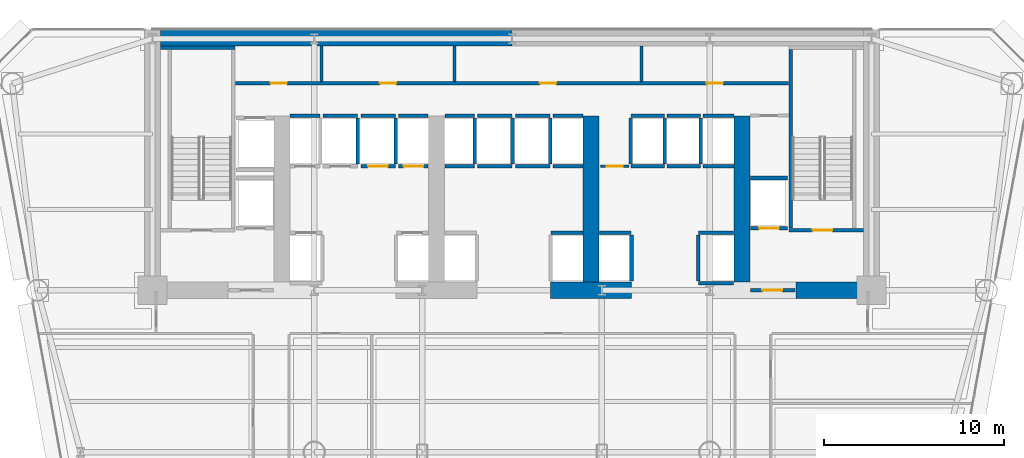
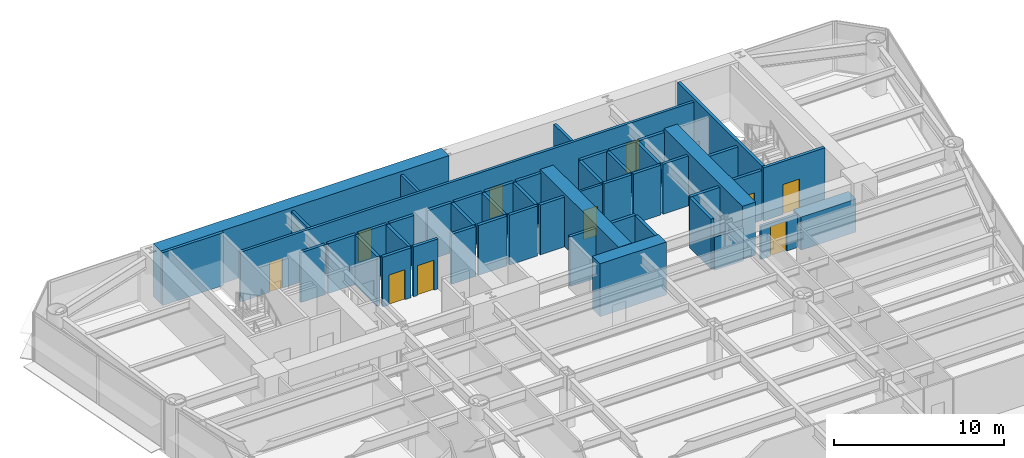
# One storey, part 9 of 14: 50 walls, 10 doors, 10 openings.
"""IFC4 building model written with IfcOpenShell, lengths in metres."""

from ifc_helpers import new_model, si_unit, direction, frame, frame_2d, origin, place, context, subcontext, project, spatial, rectangle, extrude, source, transform, mapped, material, layer, layer_set, type_object, element, fill, save


model = new_model("IFC4")

# Units and contexts
model_context = context("Model", 3, precision=1e-05, world=origin(), true_north=direction((0.0, 1.0)))
body_context = subcontext(model_context, "Body", "Model", "MODEL_VIEW")
ifc_project = project(units=[si_unit("LENGTHUNIT", "METRE"), si_unit("AREAUNIT", "SQUARE_METRE"), si_unit("VOLUMEUNIT", "CUBIC_METRE"), si_unit("PLANEANGLEUNIT", "RADIAN"), si_unit("MASSUNIT", "GRAM", prefix="KILO")], contexts=[model_context])

# Site, building, storey
site_placement = place(None, origin())
site = spatial("IfcSite", under=ifc_project, at=site_placement, CompositionType="ELEMENT")
building_placement = place(site_placement, origin())
building = spatial("IfcBuilding", under=site, at=building_placement, Name="Vaeldorn Concourse Tower", CompositionType="ELEMENT")
storey_placement = place(building_placement, frame((0.0, 0.0, 53.0)))
storey = spatial("IfcBuildingStorey", under=building, at=storey_placement, Name="L13", CompositionType="ELEMENT", Elevation=53.0)

# Walls
ifc_material_1 = material(Name="Concrete C60/75", Category="concrete")
ifc_layer_1 = layer(ifc_material_1, 0.89990234375)
ifc_layer_set_1 = layer_set([ifc_layer_1], Name="Concrete C60/75")
wall_type_1 = type_object("IfcWallType", Name="WL-CORE-900", PredefinedType="SHEAR", material=ifc_layer_set_1)
wall_1_placement = place(storey_placement, frame((14.4541015625, 50.550048828125, 0.0), z_axis=(0.0, 0.0, 1.0), x_axis=(1.0, 0.0, 0.0)))
element("IfcWall", 1, at=wall_1_placement, inside=storey, type_object=wall_type_1, Name="Rear Core Shear Wall L13 N1", PredefinedType="SHEAR", context=body_context, shape_type="SweptSolid", body=[
    extrude(rectangle(XDim=19.5439453125, YDim=0.89990234375, at=frame_2d((9.77197265625, 0.0))), origin(), (0.0, 0.0, 1.0), 3.800048828125),
])
wall_2_placement = place(storey_placement, frame((36.14990234375, 36.5, 0.0), z_axis=(0.0, 0.0, 1.0), x_axis=(1.0, 0.0, 0.0)))
element("IfcWall", 2, at=wall_2_placement, inside=storey, type_object=wall_type_1, Name="Rear Core Shear Wall L13 S3", PredefinedType="SHEAR", context=body_context, shape_type="SweptSolid", body=[
    extrude(rectangle(XDim=4.5, YDim=0.89990234375, at=frame_2d((2.25, 0.0))), origin(), (0.0, 0.0, 1.0), 3.800048828125),
])
wall_3_placement = place(storey_placement, frame((49.800048828125, 36.5, 0.0), z_axis=(0.0, 0.0, 1.0), x_axis=(1.0, 0.0, 0.0)))
element("IfcWall", 3, at=wall_3_placement, inside=storey, type_object=wall_type_1, Name="Rear Core Shear Wall L13 S4", PredefinedType="SHEAR", context=body_context, shape_type="SweptSolid", body=[
    extrude(rectangle(XDim=3.72998046875, YDim=0.89990234375, at=frame_2d((1.864990234375, 0.0))), origin(), (0.0, 0.0, 1.0), 2.3798828125),
])
for number, where, z_axis, x_axis, name in (
    (4, (38.39990234375, 36.969970703125, 0.0), (0.0, 0.0, 1.0), (0.0, 1.0, 0.0), "Rear Core Shear Wall L13 M3"),
    (5, (46.800048828125, 36.969970703125, 0.0), (0.0, 0.0, 1.0), (0.0, 1.0, 0.0), "Rear Core Shear Wall L13 M4"),
):
    element("IfcWall", number, at=place(storey_placement, frame(where, z_axis=z_axis, x_axis=x_axis)), inside=storey, type_object=wall_type_1, Name=name, PredefinedType="SHEAR", context=body_context, shape_type="SweptSolid", body=[
        extrude(rectangle(XDim=9.22998046875, YDim=0.89990234375, at=frame_2d((4.614990234375, 0.0))), origin(), (0.0, 0.0, 1.0), 3.800048828125),
    ])

# Wall, opening, door
ifc_material_2 = material(Name="Gypsum Board Partition", Category="gypsum")
ifc_layer_2 = layer(ifc_material_2, 0.14990234375)
ifc_layer_set_2 = layer_set([ifc_layer_2], Name="Gypsum Board Partition")
wall_type_2 = type_object("IfcWallType", Name="WL-PART-150", PredefinedType="PARTITIONING", material=ifc_layer_set_2)
wall_4_placement = place(storey_placement, frame((38.919921875, 43.39990234375, 0.0), z_axis=(0.0, 0.0, 1.0), x_axis=(1.0, 0.0, 0.0)))
wall_4 = element("IfcWall", 6, at=wall_4_placement, inside=storey, type_object=wall_type_2, Name="Interior Wall CW-L13-CCLINK", PredefinedType="PARTITIONING", context=body_context, shape_type="SweptSolid", body=[
    extrude(rectangle(XDim=1.60009765625, YDim=0.14990234375, at=frame_2d((0.800048828125, 0.0))), origin(), (0.0, 0.0, 1.0), 3.580078125),
])
opening_1_placement = place(wall_4_placement, frame((0.35009765625, 0.0, 0.0)))
opening_1 = element("IfcOpeningElement", 7, at=opening_1_placement, cuts=wall_4, Name="Opening D-02", PredefinedType="OPENING", context=body_context, shape_type="SweptSolid", body=[
    extrude(rectangle(XDim=0.89990234375, YDim=2.10009765625, at=frame_2d((0.449951171875, 1.050048828125))), frame((0.0, 0.0849609375, 0.0), z_axis=(0.0, -1.0, 0.0), x_axis=(1.0, 0.0, 0.0)), (0.0, 0.0, 1.0), 0.169921875),
])
ifc_material_3 = material(Name="Fire-Rated Timber Leaf", Category="wood")
door_type_1 = type_object("IfcDoorType", Name="DR-FD30-900", OperationType="NOTDEFINED", PredefinedType="DOOR", material=ifc_material_3)
shared_shape_1 = source(origin(), body_context, "Body", "SweptSolid", [
    extrude(rectangle(XDim=0.89990234375, YDim=2.10009765625, at=frame_2d((0.449951171875, 1.050048828125))), frame((0.0, 0.02490234375, 0.0), z_axis=(0.0, -1.0, 0.0), x_axis=(1.0, 0.0, 0.0)), (0.0, 0.0, 1.0), 0.050048828125),
])
door_1_placement = place(opening_1_placement, origin())
door_1 = element("IfcDoor", 8, at=door_1_placement, inside=storey, type_object=door_type_1, Name="Interior Door DR-L13-CCLINK", OperationType="SINGLE_SWING_LEFT", OverallHeight=2.10009765625, OverallWidth=0.89990234375, PredefinedType="DOOR", context=body_context, shape_type="MappedRepresentation", body=[
    mapped(shared_shape_1, transform((0.0, 0.0, 0.0), scale=1.0)),
])
fill(opening_1, door_1)

# Wall, openings, doors
ifc_layer_3 = layer(ifc_material_2, 0.179931640625)
ifc_layer_set_3 = layer_set([ifc_layer_3], Name="Gypsum Board Partition")
wall_type_3 = type_object("IfcWallType", Name="WL-PLUMB-180", PredefinedType="PLUMBINGWALL", material=ifc_layer_set_3)
wall_5_placement = place(storey_placement, frame((18.6201171875, 48.02001953125, 0.0), z_axis=(0.0, 0.0, 1.0), x_axis=(1.0, 0.0, 0.0)))
wall_5 = element("IfcWall", 9, at=wall_5_placement, inside=storey, type_object=wall_type_3, Name="Interior Wall CW-L13-NS0", PredefinedType="PLUMBINGWALL", context=body_context, shape_type="SweptSolid", body=[
    extrude(rectangle(XDim=30.759765625, YDim=0.179931640625, at=frame_2d((15.3798828125, 0.0))), origin(), (0.0, 0.0, 1.0), 3.580078125),
])
opening_2_placement = place(wall_5_placement, frame((1.955078125, 0.0, 0.0)))
opening_2 = element("IfcOpeningElement", 10, at=opening_2_placement, cuts=wall_5, Name="Opening D-03", PredefinedType="OPENING", context=body_context, shape_type="SweptSolid", body=[
    extrude(rectangle(XDim=0.89990234375, YDim=2.14990234375, at=frame_2d((0.449951171875, 1.074951171875))), frame((0.0, 0.10009765625, 0.0), z_axis=(0.0, -1.0, 0.0), x_axis=(1.0, 0.0, 0.0)), (0.0, 0.0, 1.0), 0.199951171875),
])
opening_3_placement = place(wall_5_placement, frame((8.030029296875, 0.0, 0.0)))
opening_3 = element("IfcOpeningElement", 11, at=opening_3_placement, cuts=wall_5, Name="Opening D-03", PredefinedType="OPENING", context=body_context, shape_type="SweptSolid", body=[
    extrude(rectangle(XDim=0.89990234375, YDim=2.14990234375, at=frame_2d((0.449951171875, 1.074951171875))), frame((0.0, 0.10009765625, 0.0), z_axis=(0.0, -1.0, 0.0), x_axis=(1.0, 0.0, 0.0)), (0.0, 0.0, 1.0), 0.199951171875),
])
opening_4_placement = place(wall_5_placement, frame((16.929931640625, 0.0, 0.0)))
opening_4 = element("IfcOpeningElement", 12, at=opening_4_placement, cuts=wall_5, Name="Opening D-03", PredefinedType="OPENING", context=body_context, shape_type="SweptSolid", body=[
    extrude(rectangle(XDim=0.89990234375, YDim=2.14990234375, at=frame_2d((0.449951171875, 1.074951171875))), frame((0.0, 0.10009765625, 0.0), z_axis=(0.0, -1.0, 0.0), x_axis=(1.0, 0.0, 0.0)), (0.0, 0.0, 1.0), 0.199951171875),
])
opening_5_placement = place(wall_5_placement, frame((26.205078125, 0.0, 0.0)))
opening_5 = element("IfcOpeningElement", 13, at=opening_5_placement, cuts=wall_5, Name="Opening D-03", PredefinedType="OPENING", context=body_context, shape_type="SweptSolid", body=[
    extrude(rectangle(XDim=0.89990234375, YDim=2.14990234375, at=frame_2d((0.449951171875, 1.074951171875))), frame((0.0, 0.10009765625, 0.0), z_axis=(0.0, -1.0, 0.0), x_axis=(1.0, 0.0, 0.0)), (0.0, 0.0, 1.0), 0.199951171875),
])
ifc_material_4 = material(Name="Acoustic Bronze-Framed Glass Door", Category="glass")
door_type_2 = type_object("IfcDoorType", Name="DR-INT-900", OperationType="NOTDEFINED", PredefinedType="DOOR", material=ifc_material_4)
shared_shape_2 = source(origin(), body_context, "Body", "SweptSolid", [
    extrude(rectangle(XDim=0.89990234375, YDim=2.14990234375, at=frame_2d((0.449951171875, 1.074951171875))), frame((0.0, 0.02490234375, 0.0), z_axis=(0.0, -1.0, 0.0), x_axis=(1.0, 0.0, 0.0)), (0.0, 0.0, 1.0), 0.050048828125),
])
door_2_placement = place(opening_2_placement, origin())
door_2 = element("IfcDoor", 14, at=door_2_placement, inside=storey, type_object=door_type_2, Name="Interior Door DR-L13-CS1", OperationType="SINGLE_SWING_LEFT", OverallHeight=2.14990234375, OverallWidth=0.89990234375, PredefinedType="DOOR", context=body_context, shape_type="MappedRepresentation", body=[
    mapped(shared_shape_2, transform((0.0, 0.0, 0.0), scale=1.0)),
])
fill(opening_2, door_2)
door_3_placement = place(opening_3_placement, origin())
door_3 = element("IfcDoor", 15, at=door_3_placement, inside=storey, type_object=door_type_2, Name="Interior Door DR-L13-CS2", OperationType="SINGLE_SWING_RIGHT", OverallHeight=2.14990234375, OverallWidth=0.89990234375, PredefinedType="DOOR", context=body_context, shape_type="MappedRepresentation", body=[
    mapped(shared_shape_2, transform((0.0, 0.0, 0.0), scale=1.0)),
])
fill(opening_3, door_3)
door_4_placement = place(opening_4_placement, origin())
door_4 = element("IfcDoor", 16, at=door_4_placement, inside=storey, type_object=door_type_2, Name="Interior Door DR-L13-CS3", OperationType="SINGLE_SWING_LEFT", OverallHeight=2.14990234375, OverallWidth=0.89990234375, PredefinedType="DOOR", context=body_context, shape_type="MappedRepresentation", body=[
    mapped(shared_shape_2, transform((0.0, 0.0, 0.0), scale=1.0)),
])
fill(opening_4, door_4)
door_5_placement = place(opening_5_placement, origin())
door_5 = element("IfcDoor", 17, at=door_5_placement, inside=storey, type_object=door_type_2, Name="Interior Door DR-L13-CS4", OperationType="SINGLE_SWING_RIGHT", OverallHeight=2.14990234375, OverallWidth=0.89990234375, PredefinedType="DOOR", context=body_context, shape_type="MappedRepresentation", body=[
    mapped(shared_shape_2, transform((0.0, 0.0, 0.0), scale=1.0)),
])
fill(opening_5, door_5)

# Walls
for number, where, z_axis, x_axis, name in (
    (18, (23.39990234375, 48.10009765625, 0.0), (0.0, 0.0, 1.0), (0.0, 1.0, 0.0), "Interior Wall CW-L13-NDIV1"),
    (19, (30.800048828125, 48.10009765625, 0.0), (0.0, 0.0, 1.0), (0.0, 1.0, 0.0), "Interior Wall CW-L13-NDIV2"),
    (20, (41.199951171875, 48.10009765625, 0.0), (0.0, 0.0, 1.0), (0.0, 1.0, 0.0), "Interior Wall CW-L13-NDIV3"),
):
    element("IfcWall", number, at=place(storey_placement, frame(where, z_axis=z_axis, x_axis=x_axis)), inside=storey, type_object=wall_type_3, Name=name, PredefinedType="PLUMBINGWALL", context=body_context, shape_type="SweptSolid", body=[
        extrude(rectangle(XDim=1.97998046875, YDim=0.179931640625, at=frame_2d((0.989990234375, 0.0))), origin(), (0.0, 0.0, 1.0), 3.580078125),
    ])
ifc_material_5 = material(Name="Concrete C50/60", Category="concrete")
ifc_layer_4 = layer(ifc_material_5, 0.199951171875)
ifc_layer_set_4 = layer_set([ifc_layer_4], Name="Concrete C50/60")
wall_type_4 = type_object("IfcWallType", Name="WL-SHAFT-200", PredefinedType="SOLIDWALL", material=ifc_layer_set_4)
wall_6_placement = place(storey_placement, frame((14.449951171875, 50.0, 0.0), z_axis=(0.0, 0.0, 1.0), x_axis=(1.0, 0.0, 0.0)))
element("IfcWall", 21, at=wall_6_placement, inside=storey, type_object=wall_type_4, Name="Stair Shaft Wall CW-L13-ST-1-N", PredefinedType="SOLIDWALL", context=body_context, shape_type="SweptSolid", body=[
    extrude(rectangle(XDim=4.150146484375, YDim=0.199951171875, at=frame_2d((2.0751953125, 0.0))), origin(), (0.0, 0.0, 1.0), 3.800048828125),
])

# Wall, opening, door
wall_7_placement = place(storey_placement, frame((49.39990234375, 39.85009765625, 0.0), z_axis=(0.0, 0.0, 1.0), x_axis=(1.0, 0.0, 0.0)))
wall_7 = element("IfcWall", 22, at=wall_7_placement, inside=storey, type_object=wall_type_4, Name="Stair Shaft Wall CW-L13-ST-2-S", PredefinedType="SOLIDWALL", context=body_context, shape_type="SweptSolid", body=[
    extrude(rectangle(XDim=4.150146484375, YDim=0.199951171875, at=frame_2d((2.0751953125, 0.0))), origin(), (0.0, 0.0, 1.0), 3.800048828125),
])
opening_6_placement = place(wall_7_placement, frame((1.324951171875, 0.0, 0.0)))
opening_6 = element("IfcOpeningElement", 23, at=opening_6_placement, cuts=wall_7, Name="Opening D-01", PredefinedType="OPENING", context=body_context, shape_type="SweptSolid", body=[
    extrude(rectangle(XDim=1.10009765625, YDim=2.14990234375, at=frame_2d((0.550048828125, 1.074951171875))), frame((0.0, 0.10986328125, 0.0), z_axis=(0.0, -1.0, 0.0), x_axis=(1.0, 0.0, 0.0)), (0.0, 0.0, 1.0), 0.219970703125),
])
ifc_material_6 = material(Name="Fire-Rated Timber and Steel Leaf", Category="steel")
door_type_3 = type_object("IfcDoorType", Name="DR-FD60-1100", OperationType="NOTDEFINED", PredefinedType="DOOR", material=ifc_material_6)
shared_shape_3 = source(origin(), body_context, "Body", "SweptSolid", [
    extrude(rectangle(XDim=1.10009765625, YDim=2.14990234375, at=frame_2d((0.550048828125, 1.074951171875))), frame((0.0, 0.02490234375, 0.0), z_axis=(0.0, -1.0, 0.0), x_axis=(1.0, 0.0, 0.0)), (0.0, 0.0, 1.0), 0.050048828125),
])
door_6_placement = place(opening_6_placement, origin())
door_6 = element("IfcDoor", 24, at=door_6_placement, inside=storey, type_object=door_type_3, Name="Interior Door DR-L13-ST-2", OperationType="SINGLE_SWING_RIGHT", OverallHeight=2.14990234375, OverallWidth=1.10009765625, PredefinedType="DOOR", context=body_context, shape_type="MappedRepresentation", body=[
    mapped(shared_shape_3, transform((0.0, 0.0, 0.0), scale=1.0)),
])
fill(opening_6, door_6)

# Wall
wall_8_placement = place(storey_placement, frame((49.5, 39.9599609375, 0.0), z_axis=(0.0, 0.0, 1.0), x_axis=(0.0, 1.0, 0.0)))
element("IfcWall", 25, at=wall_8_placement, inside=storey, type_object=wall_type_4, Name="Stair Shaft Wall CW-L13-ST-2-W", PredefinedType="SOLIDWALL", context=body_context, shape_type="SweptSolid", body=[
    extrude(rectangle(XDim=9.929931640625, YDim=0.199951171875, at=frame_2d((4.96484375, 0.0))), origin(), (0.0, 0.0, 1.0), 3.800048828125),
])

# Wall, opening, door
wall_9_placement = place(storey_placement, frame((47.280029296875, 36.5, 0.0), z_axis=(0.0, 0.0, 1.0), x_axis=(1.0, 0.0, 0.0)))
wall_9 = element("IfcWall", 26, at=wall_9_placement, inside=storey, type_object=wall_type_4, Name="Interior Wall CW-L13-FF2S", PredefinedType="SOLIDWALL", context=body_context, shape_type="SweptSolid", body=[
    extrude(rectangle(XDim=2.469970703125, YDim=0.199951171875, at=frame_2d((1.23486328125, 0.0))), origin(), (0.0, 0.0, 1.0), 2.3701171875),
])
opening_7_placement = place(wall_9_placement, frame((0.64990234375, 0.0, 0.0)))
opening_7 = element("IfcOpeningElement", 27, at=opening_7_placement, cuts=wall_9, Name="Opening D-01", PredefinedType="OPENING", context=body_context, shape_type="SweptSolid", body=[
    extrude(rectangle(XDim=1.10009765625, YDim=2.14990234375, at=frame_2d((0.550048828125, 1.074951171875))), frame((0.0, 0.10986328125, 0.0), z_axis=(0.0, -1.0, 0.0), x_axis=(1.0, 0.0, 0.0)), (0.0, 0.0, 1.0), 0.219970703125),
])
door_7_placement = place(opening_7_placement, origin())
door_7 = element("IfcDoor", 28, at=door_7_placement, inside=storey, type_object=door_type_3, Name="Interior Door DR-L13-FF2W", OperationType="SINGLE_SWING_LEFT", OverallHeight=2.14990234375, OverallWidth=1.10009765625, PredefinedType="DOOR", context=body_context, shape_type="MappedRepresentation", body=[
    mapped(shared_shape_3, transform((0.0, 0.0, 0.0), scale=1.0)),
])
fill(opening_7, door_7)

# Walls
wall_10_placement = place(storey_placement, frame((21.659912109375, 46.199951171875, 0.0), z_axis=(0.0, 0.0, 1.0), x_axis=(1.0, 0.0, 0.0)))
element("IfcWall", 29, at=wall_10_placement, inside=storey, type_object=wall_type_4, Name="Interior Wall CW-L13-LFB-LF-03", PredefinedType="SOLIDWALL", context=body_context, shape_type="SweptSolid", body=[
    extrude(rectangle(XDim=1.650146484375, YDim=0.199951171875, at=frame_2d((0.8251953125, 0.0))), origin(), (0.0, 0.0, 1.0), 3.580078125),
])
wall_11_placement = place(storey_placement, frame((23.489990234375, 46.199951171875, 0.0), z_axis=(0.0, 0.0, 1.0), x_axis=(1.0, 0.0, 0.0)))
element("IfcWall", 30, at=wall_11_placement, inside=storey, type_object=wall_type_4, Name="Interior Wall CW-L13-LFB-LF-04", PredefinedType="SOLIDWALL", context=body_context, shape_type="SweptSolid", body=[
    extrude(rectangle(XDim=1.919921875, YDim=0.199951171875, at=frame_2d((0.9599609375, 0.0))), origin(), (0.0, 0.0, 1.0), 3.580078125),
])
wall_12_placement = place(storey_placement, frame((25.429931640625, 43.52001953125, 0.0), z_axis=(0.0, 0.0, 1.0), x_axis=(0.0, 1.0, 0.0)))
element("IfcWall", 31, at=wall_12_placement, inside=storey, type_object=wall_type_4, Name="Interior Wall CW-L13-LFE-LF-04", PredefinedType="SOLIDWALL", context=body_context, shape_type="SweptSolid", body=[
    extrude(rectangle(XDim=2.56005859375, YDim=0.199951171875, at=frame_2d((1.280029296875, 0.0))), origin(), (0.0, 0.0, 1.0), 3.580078125),
])

# Wall, opening, door
wall_13_placement = place(storey_placement, frame((25.590087890625, 43.39990234375, 0.0), z_axis=(0.0, 0.0, 1.0), x_axis=(1.0, 0.0, 0.0)))
wall_13 = element("IfcWall", 32, at=wall_13_placement, inside=storey, type_object=wall_type_4, Name="Interior Wall CW-L13-LF-LF-05", PredefinedType="SOLIDWALL", context=body_context, shape_type="SweptSolid", body=[
    extrude(rectangle(XDim=1.919921875, YDim=0.199951171875, at=frame_2d((0.9599609375, 0.0))), origin(), (0.0, 0.0, 1.0), 3.580078125),
])
opening_8_placement = place(wall_13_placement, frame((0.409912109375, 0.0, 0.0)))
opening_8 = element("IfcOpeningElement", 33, at=opening_8_placement, cuts=wall_13, Name="Opening LD-1", PredefinedType="OPENING", context=body_context, shape_type="SweptSolid", body=[
    extrude(rectangle(XDim=1.10009765625, YDim=2.14990234375, at=frame_2d((0.550048828125, 1.074951171875))), frame((0.0, 0.10986328125, 0.0), z_axis=(0.0, -1.0, 0.0), x_axis=(1.0, 0.0, 0.0)), (0.0, 0.0, 1.0), 0.219970703125),
])
ifc_material_7 = material(Name="Anodised Bronze Aluminium", Category="aluminium")
door_type_4 = type_object("IfcDoorType", Name="DR-LIFT-SLIDE-1100", OperationType="DOUBLE_DOOR_SLIDING", PredefinedType="DOOR", material=ifc_material_7)
door_8_placement = place(opening_8_placement, origin())
door_8 = element("IfcDoor", 34, at=door_8_placement, inside=storey, type_object=door_type_4, Name="Lift Landing Door LD-L13-LF-05", OperationType="DOUBLE_DOOR_SLIDING", OverallHeight=2.14990234375, OverallWidth=1.10009765625, PredefinedType="DOOR", context=body_context, shape_type="MappedRepresentation", body=[
    mapped(shared_shape_3, transform((0.0, 0.0, 0.0), scale=1.0)),
])
fill(opening_8, door_8)

# Walls
wall_14_placement = place(storey_placement, frame((25.590087890625, 46.199951171875, 0.0), z_axis=(0.0, 0.0, 1.0), x_axis=(1.0, 0.0, 0.0)))
element("IfcWall", 35, at=wall_14_placement, inside=storey, type_object=wall_type_4, Name="Interior Wall CW-L13-LFB-LF-05", PredefinedType="SOLIDWALL", context=body_context, shape_type="SweptSolid", body=[
    extrude(rectangle(XDim=1.919921875, YDim=0.199951171875, at=frame_2d((0.9599609375, 0.0))), origin(), (0.0, 0.0, 1.0), 3.580078125),
])
wall_15_placement = place(storey_placement, frame((27.530029296875, 43.52001953125, 0.0), z_axis=(0.0, 0.0, 1.0), x_axis=(0.0, 1.0, 0.0)))
element("IfcWall", 36, at=wall_15_placement, inside=storey, type_object=wall_type_4, Name="Interior Wall CW-L13-LFE-LF-05", PredefinedType="SOLIDWALL", context=body_context, shape_type="SweptSolid", body=[
    extrude(rectangle(XDim=2.56005859375, YDim=0.199951171875, at=frame_2d((1.280029296875, 0.0))), origin(), (0.0, 0.0, 1.0), 3.580078125),
])

# Wall, opening, door
wall_16_placement = place(storey_placement, frame((27.68994140625, 43.39990234375, 0.0), z_axis=(0.0, 0.0, 1.0), x_axis=(1.0, 0.0, 0.0)))
wall_16 = element("IfcWall", 37, at=wall_16_placement, inside=storey, type_object=wall_type_4, Name="Interior Wall CW-L13-LF-LF-06", PredefinedType="SOLIDWALL", context=body_context, shape_type="SweptSolid", body=[
    extrude(rectangle(XDim=1.650146484375, YDim=0.199951171875, at=frame_2d((0.8251953125, 0.0))), origin(), (0.0, 0.0, 1.0), 3.580078125),
])
opening_9_placement = place(wall_16_placement, frame((0.27490234375, 0.0, 0.0)))
opening_9 = element("IfcOpeningElement", 38, at=opening_9_placement, cuts=wall_16, Name="Opening LD-1", PredefinedType="OPENING", context=body_context, shape_type="SweptSolid", body=[
    extrude(rectangle(XDim=1.10009765625, YDim=2.14990234375, at=frame_2d((0.550048828125, 1.074951171875))), frame((0.0, 0.10986328125, 0.0), z_axis=(0.0, -1.0, 0.0), x_axis=(1.0, 0.0, 0.0)), (0.0, 0.0, 1.0), 0.219970703125),
])
door_9_placement = place(opening_9_placement, origin())
door_9 = element("IfcDoor", 39, at=door_9_placement, inside=storey, type_object=door_type_4, Name="Lift Landing Door LD-L13-LF-06", OperationType="DOUBLE_DOOR_SLIDING", OverallHeight=2.14990234375, OverallWidth=1.10009765625, PredefinedType="DOOR", context=body_context, shape_type="MappedRepresentation", body=[
    mapped(shared_shape_3, transform((0.0, 0.0, 0.0), scale=1.0)),
])
fill(opening_9, door_9)

# Walls
wall_17_placement = place(storey_placement, frame((27.68994140625, 46.199951171875, 0.0), z_axis=(0.0, 0.0, 1.0), x_axis=(1.0, 0.0, 0.0)))
element("IfcWall", 40, at=wall_17_placement, inside=storey, type_object=wall_type_4, Name="Interior Wall CW-L13-LFB-LF-06", PredefinedType="SOLIDWALL", context=body_context, shape_type="SweptSolid", body=[
    extrude(rectangle(XDim=1.650146484375, YDim=0.199951171875, at=frame_2d((0.8251953125, 0.0))), origin(), (0.0, 0.0, 1.0), 3.580078125),
])
wall_18_placement = place(storey_placement, frame((36.169921875, 39.699951171875, 0.0), z_axis=(0.0, 0.0, 1.0), x_axis=(1.0, 0.0, 0.0)))
element("IfcWall", 41, at=wall_18_placement, inside=storey, type_object=wall_type_4, Name="Interior Wall CW-L13-LF-LF-08", PredefinedType="SOLIDWALL", context=body_context, shape_type="SweptSolid", body=[
    extrude(rectangle(XDim=1.77001953125, YDim=0.199951171875, at=frame_2d((0.885009765625, 0.0))), origin(), (0.0, 0.0, 1.0), 3.580078125),
])
for number, where, z_axis, x_axis, name in (
    (42, (30.260009765625, 43.39990234375, 0.0), (0.0, 0.0, 1.0), (1.0, 0.0, 0.0), "Interior Wall CW-L13-LF-LF-09"),
    (43, (30.260009765625, 46.199951171875, 0.0), (0.0, 0.0, 1.0), (1.0, 0.0, 0.0), "Interior Wall CW-L13-LFB-LF-09"),
):
    element("IfcWall", number, at=place(storey_placement, frame(where, z_axis=z_axis, x_axis=x_axis)), inside=storey, type_object=wall_type_4, Name=name, PredefinedType="SOLIDWALL", context=body_context, shape_type="SweptSolid", body=[
        extrude(rectangle(XDim=1.64990234375, YDim=0.199951171875, at=frame_2d((0.824951171875, 0.0))), origin(), (0.0, 0.0, 1.0), 3.580078125),
    ])
wall_19_placement = place(storey_placement, frame((31.929931640625, 43.52001953125, 0.0), z_axis=(0.0, 0.0, 1.0), x_axis=(0.0, 1.0, 0.0)))
element("IfcWall", 44, at=wall_19_placement, inside=storey, type_object=wall_type_4, Name="Interior Wall CW-L13-LFE-LF-09", PredefinedType="SOLIDWALL", context=body_context, shape_type="SweptSolid", body=[
    extrude(rectangle(XDim=2.56005859375, YDim=0.199951171875, at=frame_2d((1.280029296875, 0.0))), origin(), (0.0, 0.0, 1.0), 3.580078125),
])
for number, where, z_axis, x_axis, name in (
    (45, (32.090087890625, 43.39990234375, 0.0), (0.0, 0.0, 1.0), (1.0, 0.0, 0.0), "Interior Wall CW-L13-LF-LF-10"),
    (46, (32.090087890625, 46.199951171875, 0.0), (0.0, 0.0, 1.0), (1.0, 0.0, 0.0), "Interior Wall CW-L13-LFB-LF-10"),
):
    element("IfcWall", number, at=place(storey_placement, frame(where, z_axis=z_axis, x_axis=x_axis)), inside=storey, type_object=wall_type_4, Name=name, PredefinedType="SOLIDWALL", context=body_context, shape_type="SweptSolid", body=[
        extrude(rectangle(XDim=1.919921875, YDim=0.199951171875, at=frame_2d((0.9599609375, 0.0))), origin(), (0.0, 0.0, 1.0), 3.580078125),
    ])
wall_20_placement = place(storey_placement, frame((34.030029296875, 43.52001953125, 0.0), z_axis=(0.0, 0.0, 1.0), x_axis=(0.0, 1.0, 0.0)))
element("IfcWall", 47, at=wall_20_placement, inside=storey, type_object=wall_type_4, Name="Interior Wall CW-L13-LFE-LF-10", PredefinedType="SOLIDWALL", context=body_context, shape_type="SweptSolid", body=[
    extrude(rectangle(XDim=2.56005859375, YDim=0.199951171875, at=frame_2d((1.280029296875, 0.0))), origin(), (0.0, 0.0, 1.0), 3.580078125),
])
for number, where, z_axis, x_axis, name in (
    (48, (34.18994140625, 43.39990234375, 0.0), (0.0, 0.0, 1.0), (1.0, 0.0, 0.0), "Interior Wall CW-L13-LF-LF-11"),
    (49, (34.18994140625, 46.199951171875, 0.0), (0.0, 0.0, 1.0), (1.0, 0.0, 0.0), "Interior Wall CW-L13-LFB-LF-11"),
):
    element("IfcWall", number, at=place(storey_placement, frame(where, z_axis=z_axis, x_axis=x_axis)), inside=storey, type_object=wall_type_4, Name=name, PredefinedType="SOLIDWALL", context=body_context, shape_type="SweptSolid", body=[
        extrude(rectangle(XDim=1.920166015625, YDim=0.199951171875, at=frame_2d((0.9599609375, 0.0))), origin(), (0.0, 0.0, 1.0), 3.580078125),
    ])
wall_21_placement = place(storey_placement, frame((36.1298828125, 43.52001953125, 0.0), z_axis=(0.0, 0.0, 1.0), x_axis=(0.0, 1.0, 0.0)))
element("IfcWall", 50, at=wall_21_placement, inside=storey, type_object=wall_type_4, Name="Interior Wall CW-L13-LFE-LF-11", PredefinedType="SOLIDWALL", context=body_context, shape_type="SweptSolid", body=[
    extrude(rectangle(XDim=2.56005859375, YDim=0.199951171875, at=frame_2d((1.280029296875, 0.0))), origin(), (0.0, 0.0, 1.0), 3.580078125),
])
for number, where, z_axis, x_axis, name in (
    (51, (36.2900390625, 43.39990234375, 0.0), (0.0, 0.0, 1.0), (1.0, 0.0, 0.0), "Interior Wall CW-L13-LF-LF-12"),
    (52, (36.2900390625, 46.199951171875, 0.0), (0.0, 0.0, 1.0), (1.0, 0.0, 0.0), "Interior Wall CW-L13-LFB-LF-12"),
):
    element("IfcWall", number, at=place(storey_placement, frame(where, z_axis=z_axis, x_axis=x_axis)), inside=storey, type_object=wall_type_4, Name=name, PredefinedType="SOLIDWALL", context=body_context, shape_type="SweptSolid", body=[
        extrude(rectangle(XDim=1.64990234375, YDim=0.199951171875, at=frame_2d((0.824951171875, 0.0))), origin(), (0.0, 0.0, 1.0), 3.580078125),
    ])
wall_22_placement = place(storey_placement, frame((38.860107421875, 39.699951171875, 0.0), z_axis=(0.0, 0.0, 1.0), x_axis=(1.0, 0.0, 0.0)))
element("IfcWall", 53, at=wall_22_placement, inside=storey, type_object=wall_type_4, Name="Interior Wall CW-L13-LF-LF-13", PredefinedType="SOLIDWALL", context=body_context, shape_type="SweptSolid", body=[
    extrude(rectangle(XDim=1.769775390625, YDim=0.199951171875, at=frame_2d((0.884765625, 0.0))), origin(), (0.0, 0.0, 1.0), 3.580078125),
])
wall_23_placement = place(storey_placement, frame((40.64990234375, 37.02001953125, 0.0), z_axis=(0.0, 0.0, 1.0), x_axis=(0.0, 1.0, 0.0)))
element("IfcWall", 54, at=wall_23_placement, inside=storey, type_object=wall_type_4, Name="Interior Wall CW-L13-LFE-LF-13", PredefinedType="SOLIDWALL", context=body_context, shape_type="SweptSolid", body=[
    extrude(rectangle(XDim=2.56005859375, YDim=0.199951171875, at=frame_2d((1.280029296875, 0.0))), origin(), (0.0, 0.0, 1.0), 3.580078125),
])
wall_24_placement = place(storey_placement, frame((44.3701171875, 39.699951171875, 0.0), z_axis=(0.0, 0.0, 1.0), x_axis=(1.0, 0.0, 0.0)))
element("IfcWall", 55, at=wall_24_placement, inside=storey, type_object=wall_type_4, Name="Interior Wall CW-L13-LF-LF-14", PredefinedType="SOLIDWALL", context=body_context, shape_type="SweptSolid", body=[
    extrude(rectangle(XDim=1.9599609375, YDim=0.199951171875, at=frame_2d((0.97998046875, 0.0))), origin(), (0.0, 0.0, 1.0), 3.580078125),
])
wall_25_placement = place(storey_placement, frame((44.3701171875, 36.89990234375, 0.0), z_axis=(0.0, 0.0, 1.0), x_axis=(1.0, 0.0, 0.0)))
element("IfcWall", 56, at=wall_25_placement, inside=storey, type_object=wall_type_4, Name="Interior Wall CW-L13-LFB-LF-14", PredefinedType="SOLIDWALL", context=body_context, shape_type="SweptSolid", body=[
    extrude(rectangle(XDim=1.9599609375, YDim=0.199951171875, at=frame_2d((0.97998046875, 0.0))), origin(), (0.0, 0.0, 1.0), 2.3701171875),
])
wall_26_placement = place(storey_placement, frame((44.35009765625, 37.02001953125, 0.0), z_axis=(0.0, 0.0, 1.0), x_axis=(0.0, 1.0, 0.0)))
element("IfcWall", 57, at=wall_26_placement, inside=storey, type_object=wall_type_4, Name="Interior Wall CW-L13-LFW-LF-14", PredefinedType="SOLIDWALL", context=body_context, shape_type="SweptSolid", body=[
    extrude(rectangle(XDim=2.56005859375, YDim=0.199951171875, at=frame_2d((1.280029296875, 0.0))), origin(), (0.0, 0.0, 1.0), 3.580078125),
])
for number, where, z_axis, x_axis, name in (
    (58, (40.6201171875, 43.39990234375, 0.0), (0.0, 0.0, 1.0), (1.0, 0.0, 0.0), "Interior Wall CW-L13-LF-LF-15"),
    (59, (40.6201171875, 46.199951171875, 0.0), (0.0, 0.0, 1.0), (1.0, 0.0, 0.0), "Interior Wall CW-L13-LFB-LF-15"),
):
    element("IfcWall", number, at=place(storey_placement, frame(where, z_axis=z_axis, x_axis=x_axis)), inside=storey, type_object=wall_type_4, Name=name, PredefinedType="SOLIDWALL", context=body_context, shape_type="SweptSolid", body=[
        extrude(rectangle(XDim=1.85986328125, YDim=0.199951171875, at=frame_2d((0.929931640625, 0.0))), origin(), (0.0, 0.0, 1.0), 3.580078125),
    ])
for number, where, z_axis, x_axis, name in (
    (60, (40.60009765625, 43.52001953125, 0.0), (0.0, 0.0, 1.0), (0.0, 1.0, 0.0), "Interior Wall CW-L13-LFW-LF-15"),
    (61, (42.5, 43.52001953125, 0.0), (0.0, 0.0, 1.0), (0.0, 1.0, 0.0), "Interior Wall CW-L13-LFE-LF-15"),
):
    element("IfcWall", number, at=place(storey_placement, frame(where, z_axis=z_axis, x_axis=x_axis)), inside=storey, type_object=wall_type_4, Name=name, PredefinedType="SOLIDWALL", context=body_context, shape_type="SweptSolid", body=[
        extrude(rectangle(XDim=2.56005859375, YDim=0.199951171875, at=frame_2d((1.280029296875, 0.0))), origin(), (0.0, 0.0, 1.0), 3.580078125),
    ])
for number, where, z_axis, x_axis, name in (
    (62, (42.6201171875, 43.39990234375, 0.0), (0.0, 0.0, 1.0), (1.0, 0.0, 0.0), "Interior Wall CW-L13-LF-LF-16"),
    (63, (42.6201171875, 46.199951171875, 0.0), (0.0, 0.0, 1.0), (1.0, 0.0, 0.0), "Interior Wall CW-L13-LFB-LF-16"),
):
    element("IfcWall", number, at=place(storey_placement, frame(where, z_axis=z_axis, x_axis=x_axis)), inside=storey, type_object=wall_type_4, Name=name, PredefinedType="SOLIDWALL", context=body_context, shape_type="SweptSolid", body=[
        extrude(rectangle(XDim=1.85986328125, YDim=0.199951171875, at=frame_2d((0.929931640625, 0.0))), origin(), (0.0, 0.0, 1.0), 3.580078125),
    ])
wall_27_placement = place(storey_placement, frame((44.5, 43.52001953125, 0.0), z_axis=(0.0, 0.0, 1.0), x_axis=(0.0, 1.0, 0.0)))
element("IfcWall", 64, at=wall_27_placement, inside=storey, type_object=wall_type_4, Name="Interior Wall CW-L13-LFE-LF-16", PredefinedType="SOLIDWALL", context=body_context, shape_type="SweptSolid", body=[
    extrude(rectangle(XDim=2.56005859375, YDim=0.199951171875, at=frame_2d((1.280029296875, 0.0))), origin(), (0.0, 0.0, 1.0), 3.580078125),
])
for number, where, z_axis, x_axis, name in (
    (65, (44.6201171875, 43.39990234375, 0.0), (0.0, 0.0, 1.0), (1.0, 0.0, 0.0), "Interior Wall CW-L13-LF-LF-17"),
    (66, (44.6201171875, 46.199951171875, 0.0), (0.0, 0.0, 1.0), (1.0, 0.0, 0.0), "Interior Wall CW-L13-LFB-LF-17"),
):
    element("IfcWall", number, at=place(storey_placement, frame(where, z_axis=z_axis, x_axis=x_axis)), inside=storey, type_object=wall_type_4, Name=name, PredefinedType="SOLIDWALL", context=body_context, shape_type="SweptSolid", body=[
        extrude(rectangle(XDim=1.719970703125, YDim=0.199951171875, at=frame_2d((0.85986328125, 0.0))), origin(), (0.0, 0.0, 1.0), 3.580078125),
    ])

# Wall, opening, door
wall_28_placement = place(storey_placement, frame((47.260009765625, 39.949951171875, 0.0), z_axis=(0.0, 0.0, 1.0), x_axis=(1.0, 0.0, 0.0)))
wall_28 = element("IfcWall", 67, at=wall_28_placement, inside=storey, type_object=wall_type_4, Name="Interior Wall CW-L13-LF-LF-FF2", PredefinedType="SOLIDWALL", context=body_context, shape_type="SweptSolid", body=[
    extrude(rectangle(XDim=2.070068359375, YDim=0.199951171875, at=frame_2d((1.03515625, 0.0))), origin(), (0.0, 0.0, 1.0), 3.580078125),
])
opening_10_placement = place(wall_28_placement, frame((0.485107421875, 0.0, 0.0)))
opening_10 = element("IfcOpeningElement", 68, at=opening_10_placement, cuts=wall_28, Name="Opening LD-1", PredefinedType="OPENING", context=body_context, shape_type="SweptSolid", body=[
    extrude(rectangle(XDim=1.10009765625, YDim=2.14990234375, at=frame_2d((0.550048828125, 1.074951171875))), frame((0.0, 0.10986328125, 0.0), z_axis=(0.0, -1.0, 0.0), x_axis=(1.0, 0.0, 0.0)), (0.0, 0.0, 1.0), 0.219970703125),
])
door_10_placement = place(opening_10_placement, origin())
door_10 = element("IfcDoor", 69, at=door_10_placement, inside=storey, type_object=door_type_4, Name="Lift Landing Door LD-L13-LF-FF2", OperationType="DOUBLE_DOOR_SLIDING", OverallHeight=2.14990234375, OverallWidth=1.10009765625, PredefinedType="DOOR", context=body_context, shape_type="MappedRepresentation", body=[
    mapped(shared_shape_3, transform((0.0, 0.0, 0.0), scale=1.0)),
])
fill(opening_10, door_10)

# Wall
wall_29_placement = place(storey_placement, frame((47.260009765625, 42.75, 0.0), z_axis=(0.0, 0.0, 1.0), x_axis=(1.0, 0.0, 0.0)))
element("IfcWall", 70, at=wall_29_placement, inside=storey, type_object=wall_type_4, Name="Interior Wall CW-L13-LFB-LF-FF2", PredefinedType="SOLIDWALL", context=body_context, shape_type="SweptSolid", body=[
    extrude(rectangle(XDim=2.070068359375, YDim=0.199951171875, at=frame_2d((1.03515625, 0.0))), origin(), (0.0, 0.0, 1.0), 3.580078125),
])

save(model, "model.ifc")
